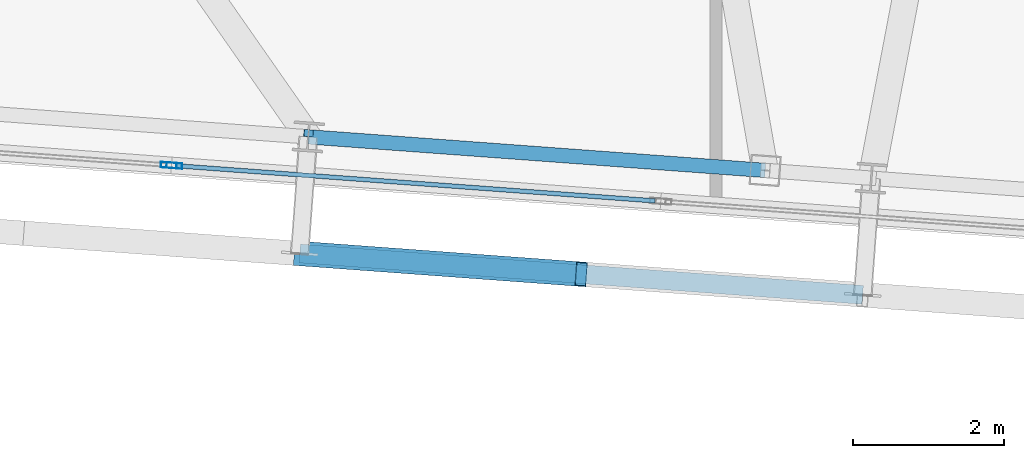
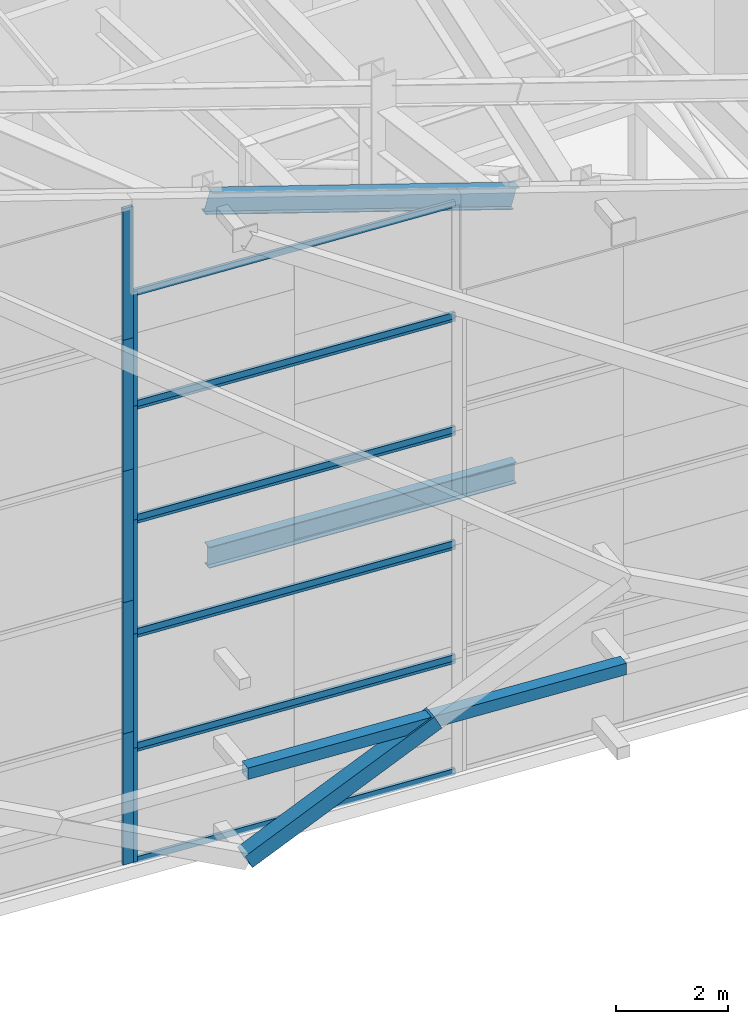
# One storey, part 6 of 56: 22 members, 2 beams, 10 elements without a shape of their own.
"""IFC4 building model written with IfcOpenShell, lengths in metres."""

from ifc_helpers import new_model, si_unit, direction, frame, origin, origin_2d, place, context, subcontext, project, spatial, hollow_rectangle, i_section, extrude, source, transform, mapped, material, layer, layer_set, material_profile, profile_set, type_object, element, aggregate, save


model = new_model("IFC4")

# Units and contexts
model_context = context("Model", 3, precision=1e-05, world=origin(), true_north=direction((0.0, 1.0)))
body_context = subcontext(model_context, "Body", "Model", "MODEL_VIEW")
ifc_project = project(units=[si_unit("LENGTHUNIT", "METRE"), si_unit("AREAUNIT", "SQUARE_METRE"), si_unit("VOLUMEUNIT", "CUBIC_METRE"), si_unit("PLANEANGLEUNIT", "RADIAN"), si_unit("MASSUNIT", "GRAM", prefix="KILO")], contexts=[model_context])

# Site, building, storey
site_placement = place(None, origin())
site = spatial("IfcSite", under=ifc_project, at=site_placement, CompositionType="ELEMENT")
building_placement = place(site_placement, origin())
building = spatial("IfcBuilding", under=site, at=building_placement, Name="Taldren Reach Tower", CompositionType="ELEMENT")
storey_placement = place(building_placement, frame((0.0, 0.0, 253.050048828125)))
storey = spatial("IfcBuildingStorey", under=building, at=storey_placement, Name="L77", CompositionType="ELEMENT", Elevation=253.050048828125)

# Member
ifc_material_1 = material(Name="Steel Gr 350 (C350L0)", Category="steel")
ifc_material_profile_1 = material_profile(ifc_material_1, hollow_rectangle(XDim=0.25, YDim=0.25, WallThickness=0.010009765625, at=origin_2d()), Name="250x250x10.0SHS")
ifc_profile_set_1 = profile_set([ifc_material_profile_1], Name="Steel Gr 350 (C350L0)")
member_type_1 = type_object("IfcMemberType", Name="MB-POST250", PredefinedType="POST", material=ifc_profile_set_1)
shared_shape_1 = source(origin(), body_context, "Body", "SweptSolid", [
    extrude(hollow_rectangle(XDim=0.25, YDim=0.25, WallThickness=0.010009765625, at=origin_2d()), origin(), (0.0, 0.0, 1.0), 7.47998046875),
])
member_1_placement = place(storey_placement, frame((22.487060546875, 4.36669921875, 2.10986328125), z_axis=(0.997314220642, -0.07324169103, 0.0), x_axis=(0.07324169103, 0.997314220642, 0.0)))
element("IfcMember", 1, at=member_1_placement, inside=storey, type_object=member_type_1, Name="Exoskeleton mid-height ring chord B5-S2 L77", PredefinedType="POST", context=body_context, shape_type="MappedRepresentation", body=[
    mapped(shared_shape_1, transform((0.0, 0.0, 0.0), scale=1.0)),
])

# Beams
ifc_material_2 = material(Name="Steel Gr 350 (350PLUS)", Category="steel")
ifc_material_profile_2 = material_profile(ifc_material_2, i_section(OverallWidth=0.19091796875, OverallDepth=0.4599609375, WebThickness=0.010009765625, FlangeThickness=0.01611328125, at=origin_2d()), Name="460UB82.1")
ifc_profile_set_2 = profile_set([ifc_material_profile_2], Name="Steel Gr 350 (350PLUS)")
beam_type = type_object("IfcBeamType", Name="BM-UB460A", PredefinedType="BEAM", material=ifc_profile_set_2)
shared_shape_2 = source(origin(), body_context, "Body", "SweptSolid", [
    extrude(i_section(OverallWidth=0.19091796875, OverallDepth=0.4599609375, WebThickness=0.010009765625, FlangeThickness=0.01611328125, at=origin_2d()), origin(), (0.0, 0.0, 1.0), 6.314453125),
])
beam_1_placement = place(storey_placement, frame((22.6005859375, 5.912353515625, 13.491943359375), z_axis=(0.95870329252, -0.070406464578, -0.27555566889), x_axis=(0.073242020958, 0.997314196413, 0.0)))
element("IfcBeam", 2, at=beam_1_placement, inside=storey, type_object=beam_type, Name="Crown sloped perimeter rake girder S2", PredefinedType="BEAM", context=body_context, shape_type="MappedRepresentation", body=[
    mapped(shared_shape_2, transform((0.0, 0.0, 0.0), scale=1.0)),
])
shared_shape_3 = source(origin(), body_context, "Body", "SweptSolid", [
    extrude(i_section(OverallWidth=0.19091796875, OverallDepth=0.4599609375, WebThickness=0.010009765625, FlangeThickness=0.01611328125, at=origin_2d()), origin(), (0.0, 0.0, 1.0), 6.070068359375),
])
beam_2_placement = place(storey_placement, frame((22.6005859375, 5.912353515625, 5.800048828125), z_axis=(0.997314196413, -0.073242020958, 0.0), x_axis=(0.073242020958, 0.997314196413, 0.0)))
element("IfcBeam", 3, at=beam_2_placement, inside=storey, type_object=beam_type, Name="Crown perimeter wind girt LO S2-PJ1", PredefinedType="BEAM", context=body_context, shape_type="MappedRepresentation", body=[
    mapped(shared_shape_3, transform((0.0, 0.0, 0.0), scale=1.0)),
])

# Member
ifc_material_3 = material(Name="Steel Gr 450 (C450L0)", Category="steel")
ifc_material_profile_3 = material_profile(ifc_material_3, hollow_rectangle(XDim=0.324951171875, YDim=0.324951171875, WallThickness=0.0126953125, at=origin_2d()), Name="325x325x12.7SHS")
ifc_profile_set_3 = profile_set([ifc_material_profile_3], Name="Steel Gr 450 (C450L0)")
member_type_2 = type_object("IfcMemberType", Name="MB-BR324", PredefinedType="BRACE", material=ifc_profile_set_3)
shared_shape_4 = source(origin(), body_context, "Body", "SweptSolid", [
    extrude(hollow_rectangle(XDim=0.324951171875, YDim=0.324951171875, WallThickness=0.0126953125, at=origin_2d()), origin(), (0.0, 0.0, 1.0), 4.1904296875),
])
member_2_placement = place(storey_placement, frame((22.487060546875, 4.36669921875, 0.219970703125), z_axis=(0.890124363023, -0.065369782387, 0.451004889001), x_axis=(0.07324169103, 0.997314220642, 0.0)))
element("IfcMember", 4, at=member_2_placement, inside=storey, type_object=member_type_2, Name="Exoskeleton Diagrid Brace B5-S2 L77", PredefinedType="BRACE", context=body_context, shape_type="MappedRepresentation", body=[
    mapped(shared_shape_4, transform((0.0, 0.0, 0.0), scale=1.0)),
])

# Curtain wall, member
ifc_material_4 = material(Name="Aluminium and Low-E Glass Unitised System", Category="aluminium")
ifc_layer = layer(ifc_material_4, 0.159912109375)
ifc_layer_set = layer_set([ifc_layer], Name="Aluminium and Low-E Glass Unitised System")
curtain_wall_type = type_object("IfcCurtainWallType", Name="CW-SYS-8", PredefinedType="NOTDEFINED", material=ifc_layer_set)
curtain_wall_1_placement = place(storey_placement, origin())
curtain_wall_1 = element("IfcCurtainWall", 5, at=curtain_wall_1_placement, inside=storey, type_object=curtain_wall_type, Name="Unitised curtain wall CW8-L77-S1", PredefinedType="NOTDEFINED")
ifc_material_5 = material(Name="Anodised Aluminium 6063-T6", Category="aluminium")
ifc_material_profile_4 = material_profile(ifc_material_5, hollow_rectangle(XDim=0.074951171875, YDim=0.2099609375, WallThickness=0.00439453125, at=origin_2d()), Name="ALU-210x75x4.5RHS")
ifc_profile_set_4 = profile_set([ifc_material_profile_4], Name="Anodised Aluminium 6063-T6")
member_type_3 = type_object("IfcMemberType", Name="CW-MUL-200", PredefinedType="MULLION", material=ifc_profile_set_4)
shared_shape_5 = source(origin(), body_context, "Body", "SweptSolid", [
    extrude(hollow_rectangle(XDim=0.074951171875, YDim=0.2099609375, WallThickness=0.00439453125, at=origin_2d()), origin(), (0.0, 0.0, 1.0), 2.848388671875),
])
member_3_placement = place(storey_placement, frame((20.75048828125, 5.536865234375, 0.0), z_axis=(0.0, 0.0, 1.0), x_axis=(0.073238506213, 0.997314454527, 0.0)))
member_3 = element("IfcMember", 6, at=member_3_placement, type_object=member_type_3, Name="CW-8 mullion 2", PredefinedType="MULLION", context=body_context, shape_type="MappedRepresentation", body=[
    mapped(shared_shape_5, transform((0.0, 0.0, 0.0), scale=1.0)),
])
aggregate(curtain_wall_1, [member_3])

curtain_wall_2_placement = place(storey_placement, origin())
curtain_wall_2 = element("IfcCurtainWall", 7, at=curtain_wall_2_placement, inside=storey, type_object=curtain_wall_type, Name="Unitised curtain wall CW8-L77-S1-T3", PredefinedType="NOTDEFINED")
member_4_placement = place(storey_placement, frame((20.75048828125, 5.536865234375, 5.696533203125), z_axis=(0.0, 0.0, 1.0), x_axis=(0.073238506213, 0.997314454527, 0.0)))
member_4 = element("IfcMember", 8, at=member_4_placement, type_object=member_type_3, Name="CW-8 mullion 2", PredefinedType="MULLION", context=body_context, shape_type="MappedRepresentation", body=[
    mapped(shared_shape_5, transform((0.0, 0.0, 0.0), scale=1.0)),
])
aggregate(curtain_wall_2, [member_4])

curtain_wall_3_placement = place(storey_placement, origin())
curtain_wall_3 = element("IfcCurtainWall", 9, at=curtain_wall_3_placement, inside=storey, type_object=curtain_wall_type, Name="Unitised curtain wall CW8-L77-S1-T4", PredefinedType="NOTDEFINED")
member_5_placement = place(storey_placement, frame((20.75048828125, 5.536865234375, 8.544921875), z_axis=(0.0, 0.0, 1.0), x_axis=(0.073238506213, 0.997314454527, 0.0)))
member_5 = element("IfcMember", 10, at=member_5_placement, type_object=member_type_3, Name="CW-8 mullion 2", PredefinedType="MULLION", context=body_context, shape_type="MappedRepresentation", body=[
    mapped(shared_shape_5, transform((0.0, 0.0, 0.0), scale=1.0)),
])
aggregate(curtain_wall_3, [member_5])

curtain_wall_4_placement = place(storey_placement, origin())
curtain_wall_4 = element("IfcCurtainWall", 11, at=curtain_wall_4_placement, inside=storey, type_object=curtain_wall_type, Name="Unitised curtain wall CW8-L77-S1-T2", PredefinedType="NOTDEFINED")
shared_shape_6 = source(origin(), body_context, "Body", "SweptSolid", [
    extrude(hollow_rectangle(XDim=0.074951171875, YDim=0.2099609375, WallThickness=0.00439453125, at=origin_2d()), origin(), (0.0, 0.0, 1.0), 2.84814453125),
])
member_6_placement = place(storey_placement, frame((20.75048828125, 5.536865234375, 2.848388671875), z_axis=(0.0, 0.0, 1.0), x_axis=(0.073238506213, 0.997314454527, 0.0)))
member_6 = element("IfcMember", 12, at=member_6_placement, type_object=member_type_3, Name="CW-8 mullion 2", PredefinedType="MULLION", context=body_context, shape_type="MappedRepresentation", body=[
    mapped(shared_shape_6, transform((0.0, 0.0, 0.0), scale=1.0)),
])
aggregate(curtain_wall_4, [member_6])

curtain_wall_5_placement = place(storey_placement, origin())
curtain_wall_5 = element("IfcCurtainWall", 13, at=curtain_wall_5_placement, inside=storey, type_object=curtain_wall_type, Name="Unitised curtain wall CW8-L77-S1-T5", PredefinedType="NOTDEFINED")
member_7_placement = place(storey_placement, frame((20.75048828125, 5.536865234375, 11.393310546875), z_axis=(0.0, 0.0, 1.0), x_axis=(0.073238506213, 0.997314454527, 0.0)))
member_7 = element("IfcMember", 14, at=member_7_placement, type_object=member_type_3, Name="CW-8 mullion 2", PredefinedType="MULLION", context=body_context, shape_type="MappedRepresentation", body=[
    mapped(shared_shape_6, transform((0.0, 0.0, 0.0), scale=1.0)),
])
aggregate(curtain_wall_5, [member_7])

curtain_wall_6_placement = place(storey_placement, origin())
curtain_wall_6 = element("IfcCurtainWall", 15, at=curtain_wall_6_placement, inside=storey, type_object=curtain_wall_type, Name="Unitised curtain wall CW8-L77-S2", PredefinedType="NOTDEFINED")
shared_shape_7 = source(origin(), body_context, "Body", "SweptSolid", [
    extrude(hollow_rectangle(XDim=0.074951171875, YDim=0.2099609375, WallThickness=0.00439453125, at=origin_2d()), origin(), (0.0, 0.0, 1.0), 2.4755859375),
])
member_8_placement = place(storey_placement, frame((20.825439453125, 5.531494140625, 0.0), z_axis=(0.0, 0.0, 1.0), x_axis=(0.073238393838, 0.997314462779, 0.0)))
member_8 = element("IfcMember", 16, at=member_8_placement, type_object=member_type_3, Name="CW-8 mullion 1", PredefinedType="MULLION", context=body_context, shape_type="MappedRepresentation", body=[
    mapped(shared_shape_7, transform((0.0, 0.0, 0.0), scale=1.0)),
])

curtain_wall_7_placement = place(storey_placement, origin())
curtain_wall_7 = element("IfcCurtainWall", 17, at=curtain_wall_7_placement, inside=storey, type_object=curtain_wall_type, Name="Unitised curtain wall CW8-L77-S2-T2", PredefinedType="NOTDEFINED")
member_9_placement = place(storey_placement, frame((20.825439453125, 5.531494140625, 2.4755859375), z_axis=(0.0, 0.0, 1.0), x_axis=(0.073238393838, 0.997314462779, 0.0)))
member_9 = element("IfcMember", 18, at=member_9_placement, type_object=member_type_3, Name="CW-8 mullion 1", PredefinedType="MULLION", context=body_context, shape_type="MappedRepresentation", body=[
    mapped(shared_shape_7, transform((0.0, 0.0, 0.0), scale=1.0)),
])

curtain_wall_8_placement = place(storey_placement, origin())
curtain_wall_8 = element("IfcCurtainWall", 19, at=curtain_wall_8_placement, inside=storey, type_object=curtain_wall_type, Name="Unitised curtain wall CW8-L77-S2-T4", PredefinedType="NOTDEFINED")
member_10_placement = place(storey_placement, frame((20.825439453125, 5.531494140625, 7.427001953125), z_axis=(0.0, 0.0, 1.0), x_axis=(0.073238393838, 0.997314462779, 0.0)))
member_10 = element("IfcMember", 20, at=member_10_placement, type_object=member_type_3, Name="CW-8 mullion 1", PredefinedType="MULLION", context=body_context, shape_type="MappedRepresentation", body=[
    mapped(shared_shape_7, transform((0.0, 0.0, 0.0), scale=1.0)),
])

curtain_wall_9_placement = place(storey_placement, origin())
curtain_wall_9 = element("IfcCurtainWall", 21, at=curtain_wall_9_placement, inside=storey, type_object=curtain_wall_type, Name="Unitised curtain wall CW8-L77-S2-T5", PredefinedType="NOTDEFINED")
member_11_placement = place(storey_placement, frame((20.825439453125, 5.531494140625, 9.902587890625), z_axis=(0.0, 0.0, 1.0), x_axis=(0.073238393838, 0.997314462779, 0.0)))
member_11 = element("IfcMember", 22, at=member_11_placement, type_object=member_type_3, Name="CW-8 mullion 1", PredefinedType="MULLION", context=body_context, shape_type="MappedRepresentation", body=[
    mapped(shared_shape_7, transform((0.0, 0.0, 0.0), scale=1.0)),
])

# Member
ifc_material_profile_5 = material_profile(ifc_material_5, hollow_rectangle(XDim=0.06005859375, YDim=0.135009765625, WallThickness=0.00341796875, at=origin_2d()), Name="ALU-135x60x3.5RHS")
ifc_profile_set_5 = profile_set([ifc_material_profile_5], Name="Anodised Aluminium 6063-T6")
member_type_4 = type_object("IfcMemberType", Name="CW-TRN-150", PredefinedType="USERDEFINED", material=ifc_profile_set_5)
shared_shape_8 = source(origin(), body_context, "Body", "SweptSolid", [
    extrude(hollow_rectangle(XDim=0.06005859375, YDim=0.135009765625, WallThickness=0.00341796875, at=origin_2d()), origin(), (0.0, 0.0, 1.0), 6.35009765625),
])
member_12_placement = place(storey_placement, frame((20.86279296875, 5.528564453125, 0.030029296875), z_axis=(0.997314237186, -0.073241465761, 0.0), x_axis=(0.073241465761, 0.997314237186, 0.0)))
member_12 = element("IfcMember", 23, at=member_12_placement, type_object=member_type_4, Name="CW-8 transom 1.1", ObjectType="TRANSOM", PredefinedType="USERDEFINED", context=body_context, shape_type="MappedRepresentation", body=[
    mapped(shared_shape_8, transform((0.0, 0.0, 0.0), scale=1.0)),
])

member_13_placement = place(storey_placement, frame((20.86279296875, 5.528564453125, 2.445556640625), z_axis=(0.997314237186, -0.073241465761, 0.0), x_axis=(0.073241465761, 0.997314237186, 0.0)))
member_13 = element("IfcMember", 24, at=member_13_placement, type_object=member_type_4, Name="CW-8 transom 1.2", ObjectType="TRANSOM", PredefinedType="USERDEFINED", context=body_context, shape_type="MappedRepresentation", body=[
    mapped(shared_shape_8, transform((0.0, 0.0, 0.0), scale=1.0)),
])

aggregate(curtain_wall_6, [member_8, member_12, member_13])

member_14_placement = place(storey_placement, frame((20.86279296875, 5.528564453125, 2.505615234375), z_axis=(0.997314237186, -0.073241465761, 0.0), x_axis=(0.073241465761, 0.997314237186, 0.0)))
member_14 = element("IfcMember", 25, at=member_14_placement, type_object=member_type_4, Name="CW-8 transom 1.1", ObjectType="TRANSOM", PredefinedType="USERDEFINED", context=body_context, shape_type="MappedRepresentation", body=[
    mapped(shared_shape_8, transform((0.0, 0.0, 0.0), scale=1.0)),
])

member_15_placement = place(storey_placement, frame((20.86279296875, 5.528564453125, 4.92138671875), z_axis=(0.997314237186, -0.073241465761, 0.0), x_axis=(0.073241465761, 0.997314237186, 0.0)))
member_15 = element("IfcMember", 26, at=member_15_placement, type_object=member_type_4, Name="CW-8 transom 1.2", ObjectType="TRANSOM", PredefinedType="USERDEFINED", context=body_context, shape_type="MappedRepresentation", body=[
    mapped(shared_shape_8, transform((0.0, 0.0, 0.0), scale=1.0)),
])

aggregate(curtain_wall_7, [member_9, member_14, member_15])

# Curtain wall, members
curtain_wall_10_placement = place(storey_placement, origin())
curtain_wall_10 = element("IfcCurtainWall", 27, at=curtain_wall_10_placement, inside=storey, type_object=curtain_wall_type, Name="Unitised curtain wall CW8-L77-S2-T3", PredefinedType="NOTDEFINED")
member_16_placement = place(storey_placement, frame((20.86279296875, 5.528564453125, 4.981201171875), z_axis=(0.997314237186, -0.073241465761, 0.0), x_axis=(0.073241465761, 0.997314237186, 0.0)))
member_16 = element("IfcMember", 28, at=member_16_placement, type_object=member_type_4, Name="CW-8 transom 1.1", ObjectType="TRANSOM", PredefinedType="USERDEFINED", context=body_context, shape_type="MappedRepresentation", body=[
    mapped(shared_shape_8, transform((0.0, 0.0, 0.0), scale=1.0)),
])
member_17_placement = place(storey_placement, frame((20.86279296875, 5.528564453125, 7.39697265625), z_axis=(0.997314237186, -0.073241465761, 0.0), x_axis=(0.073241465761, 0.997314237186, 0.0)))
member_17 = element("IfcMember", 29, at=member_17_placement, type_object=member_type_4, Name="CW-8 transom 1.2", ObjectType="TRANSOM", PredefinedType="USERDEFINED", context=body_context, shape_type="MappedRepresentation", body=[
    mapped(shared_shape_8, transform((0.0, 0.0, 0.0), scale=1.0)),
])

# Member
member_18_placement = place(storey_placement, frame((20.86279296875, 5.528564453125, 7.45703125), z_axis=(0.997314237186, -0.073241465761, 0.0), x_axis=(0.073241465761, 0.997314237186, 0.0)))
member_18 = element("IfcMember", 30, at=member_18_placement, type_object=member_type_4, Name="CW-8 transom 1.1", ObjectType="TRANSOM", PredefinedType="USERDEFINED", context=body_context, shape_type="MappedRepresentation", body=[
    mapped(shared_shape_8, transform((0.0, 0.0, 0.0), scale=1.0)),
])

member_19_placement = place(storey_placement, frame((20.86279296875, 5.528564453125, 9.87255859375), z_axis=(0.997314237186, -0.073241465761, 0.0), x_axis=(0.073241465761, 0.997314237186, 0.0)))
member_19 = element("IfcMember", 31, at=member_19_placement, type_object=member_type_4, Name="CW-8 transom 1.2", ObjectType="TRANSOM", PredefinedType="USERDEFINED", context=body_context, shape_type="MappedRepresentation", body=[
    mapped(shared_shape_8, transform((0.0, 0.0, 0.0), scale=1.0)),
])

aggregate(curtain_wall_8, [member_10, member_18, member_19])

member_20_placement = place(storey_placement, frame((20.86279296875, 5.528564453125, 9.9326171875), z_axis=(0.997314237186, -0.073241465761, 0.0), x_axis=(0.073241465761, 0.997314237186, 0.0)))
member_20 = element("IfcMember", 32, at=member_20_placement, type_object=member_type_4, Name="CW-8 transom 1.1", ObjectType="TRANSOM", PredefinedType="USERDEFINED", context=body_context, shape_type="MappedRepresentation", body=[
    mapped(shared_shape_8, transform((0.0, 0.0, 0.0), scale=1.0)),
])

member_21_placement = place(storey_placement, frame((20.86279296875, 5.528564453125, 12.34814453125), z_axis=(0.997314237186, -0.073241465761, 0.0), x_axis=(0.073241465761, 0.997314237186, 0.0)))
member_21 = element("IfcMember", 33, at=member_21_placement, type_object=member_type_4, Name="CW-8 transom 1.2", ObjectType="TRANSOM", PredefinedType="USERDEFINED", context=body_context, shape_type="MappedRepresentation", body=[
    mapped(shared_shape_8, transform((0.0, 0.0, 0.0), scale=1.0)),
])

aggregate(curtain_wall_9, [member_11, member_20, member_21])

shared_shape_9 = source(origin(), body_context, "Body", "SweptSolid", [
    extrude(hollow_rectangle(XDim=0.074951171875, YDim=0.2099609375, WallThickness=0.00439453125, at=origin_2d()), origin(), (0.0, 0.0, 1.0), 2.475830078125),
])
member_22_placement = place(storey_placement, frame((20.825439453125, 5.531494140625, 4.951171875), z_axis=(0.0, 0.0, 1.0), x_axis=(0.073238393838, 0.997314462779, 0.0)))
member_22 = element("IfcMember", 34, at=member_22_placement, type_object=member_type_3, Name="CW-8 mullion 1", PredefinedType="MULLION", context=body_context, shape_type="MappedRepresentation", body=[
    mapped(shared_shape_9, transform((0.0, 0.0, 0.0), scale=1.0)),
])

aggregate(curtain_wall_10, [member_22, member_16, member_17])

save(model, "model.ifc")
